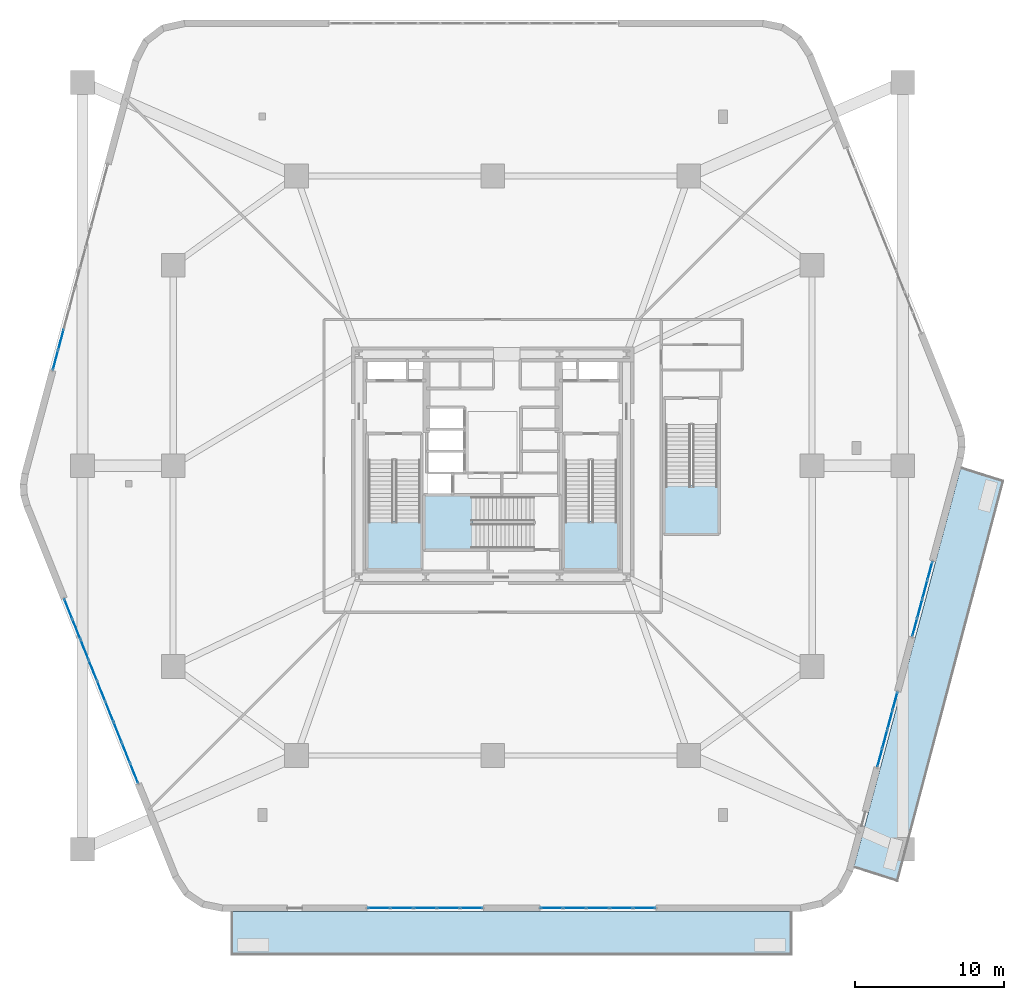
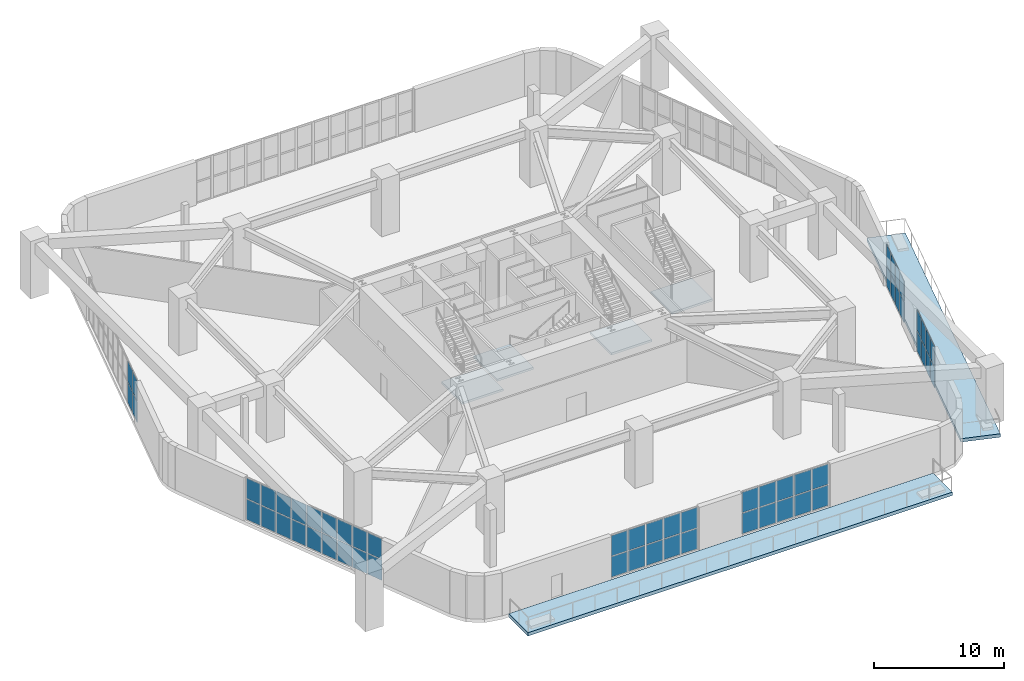
# One storey, part 25 of 34: 58 plates, 6 slabs, 10 elements without a shape of their own.
"""IFC4 building model written with IfcOpenShell, lengths in metres."""

from ifc_helpers import new_model, si_unit, direction, frame, origin, origin_2d, place, context, subcontext, project, spatial, polyline, rectangle, outline, extrude, material, layer, layer_set, type_object, element, aggregate, save


model = new_model("IFC4")

# Units and contexts
model_context = context("Model", 3, precision=1e-05, world=origin(), true_north=direction((0.0, 1.0)))
body_context = subcontext(model_context, "Body", "Model", "MODEL_VIEW")
ifc_project = project(units=[si_unit("LENGTHUNIT", "METRE"), si_unit("AREAUNIT", "SQUARE_METRE"), si_unit("VOLUMEUNIT", "CUBIC_METRE"), si_unit("PLANEANGLEUNIT", "RADIAN"), si_unit("MASSUNIT", "GRAM", prefix="KILO")], contexts=[model_context])

# Site, building, storey
site_placement = place(None, origin())
site = spatial("IfcSite", under=ifc_project, at=site_placement, CompositionType="ELEMENT")
building_placement = place(site_placement, origin())
building = spatial("IfcBuilding", under=site, at=building_placement, Name="Kilnhurst Terrace Hotel", CompositionType="ELEMENT")
storey_placement = place(building_placement, frame((0.0, 0.0, 6.0)))
storey = spatial("IfcBuildingStorey", under=building, at=storey_placement, Name="L01", CompositionType="ELEMENT", Elevation=6.0)

# Curtain wall, plates
ifc_material_1 = material(Name="Anodized Aluminium Alloy 6063-T6 and Low-E Glass", Category="aluminium")
ifc_layer_1 = layer(ifc_material_1, 0.219970703125, Name="Anodized Aluminium Alloy 6063-T6 and Low-E Glass")
ifc_layer_set_1 = layer_set([ifc_layer_1], Name="Anodized Aluminium Alloy 6063-T6 and Low-E Glass")
curtain_wall_type = type_object("IfcCurtainWallType", Name="CW-POD-LOBBY", PredefinedType="NOTDEFINED", material=ifc_layer_set_1)
curtain_wall_1_placement = place(storey_placement, origin())
curtain_wall_1 = element("IfcCurtainWall", 1, at=curtain_wall_1_placement, inside=storey, type_object=curtain_wall_type, Name="L01 Curtain Wall CW-L01-F1-1", PredefinedType="NOTDEFINED")
ifc_material_2 = material(Name="Triple Laminated Low-E Hurricane Insulated Glass", Category="glass")
ifc_layer_2 = layer(ifc_material_2, 0.035888671875, Name="Triple Laminated Low-E Hurricane Insulated Glass")
ifc_layer_set_2 = layer_set([ifc_layer_2], Name="Triple Laminated Low-E Hurricane Insulated Glass")
plate_type = type_object("IfcPlateType", Name="PNL-GLZ-36", PredefinedType="CURTAIN_PANEL", material=ifc_layer_set_2)
plate_1_placement = place(storey_placement, frame((-7.6513671875, -29.77490234375, 0.074951171875), z_axis=(0.0, 0.0, 1.0), x_axis=(1.0, 0.0, 0.0)))
plate_1 = element("IfcPlate", 2, at=plate_1_placement, type_object=plate_type, Name="CWL-1 panel 1.1", PredefinedType="CURTAIN_PANEL", context=body_context, shape_type="SweptSolid", body=[
    extrude(rectangle(XDim=1.453369140625, YDim=0.035888671875, at=origin_2d()), origin(), (0.0, 0.0, 1.0), 1.91259765625),
])
plate_2_placement = place(storey_placement, frame((-7.6513671875, -29.77490234375, 2.0625), z_axis=(0.0, 0.0, 1.0), x_axis=(1.0, 0.0, 0.0)))
plate_2 = element("IfcPlate", 3, at=plate_2_placement, type_object=plate_type, Name="CWL-1 panel 1.2", PredefinedType="CURTAIN_PANEL", context=body_context, shape_type="SweptSolid", body=[
    extrude(rectangle(XDim=1.453369140625, YDim=0.035888671875, at=origin_2d()), origin(), (0.0, 0.0, 1.0), 1.91259765625),
])
plate_3_placement = place(storey_placement, frame((-6.104248046875, -29.77490234375, 0.074951171875), z_axis=(0.0, 0.0, 1.0), x_axis=(1.0, 0.0, 0.0)))
plate_3 = element("IfcPlate", 4, at=plate_3_placement, type_object=plate_type, Name="CWL-1 panel 2.1", PredefinedType="CURTAIN_PANEL", context=body_context, shape_type="SweptSolid", body=[
    extrude(rectangle(XDim=1.49072265625, YDim=0.035888671875, at=origin_2d()), origin(), (0.0, 0.0, 1.0), 1.91259765625),
])
plate_4_placement = place(storey_placement, frame((-6.104248046875, -29.77490234375, 2.0625), z_axis=(0.0, 0.0, 1.0), x_axis=(1.0, 0.0, 0.0)))
plate_4 = element("IfcPlate", 5, at=plate_4_placement, type_object=plate_type, Name="CWL-1 panel 2.2", PredefinedType="CURTAIN_PANEL", context=body_context, shape_type="SweptSolid", body=[
    extrude(rectangle(XDim=1.49072265625, YDim=0.035888671875, at=origin_2d()), origin(), (0.0, 0.0, 1.0), 1.91259765625),
])
plate_5_placement = place(storey_placement, frame((-4.538330078125, -29.77490234375, 0.074951171875), z_axis=(0.0, 0.0, 1.0), x_axis=(1.0, 0.0, 0.0)))
plate_5 = element("IfcPlate", 6, at=plate_5_placement, type_object=plate_type, Name="CWL-1 panel 3.1", PredefinedType="CURTAIN_PANEL", context=body_context, shape_type="SweptSolid", body=[
    extrude(rectangle(XDim=1.49072265625, YDim=0.035888671875, at=origin_2d()), origin(), (0.0, 0.0, 1.0), 1.91259765625),
])
plate_6_placement = place(storey_placement, frame((-4.538330078125, -29.77490234375, 2.0625), z_axis=(0.0, 0.0, 1.0), x_axis=(1.0, 0.0, 0.0)))
plate_6 = element("IfcPlate", 7, at=plate_6_placement, type_object=plate_type, Name="CWL-1 panel 3.2", PredefinedType="CURTAIN_PANEL", context=body_context, shape_type="SweptSolid", body=[
    extrude(rectangle(XDim=1.49072265625, YDim=0.035888671875, at=origin_2d()), origin(), (0.0, 0.0, 1.0), 1.91259765625),
])
plate_7_placement = place(storey_placement, frame((-2.97265625, -29.77490234375, 0.074951171875), z_axis=(0.0, 0.0, 1.0), x_axis=(1.0, 0.0, 0.0)))
plate_7 = element("IfcPlate", 8, at=plate_7_placement, type_object=plate_type, Name="CWL-1 panel 4.1", PredefinedType="CURTAIN_PANEL", context=body_context, shape_type="SweptSolid", body=[
    extrude(rectangle(XDim=1.49072265625, YDim=0.035888671875, at=origin_2d()), origin(), (0.0, 0.0, 1.0), 1.91259765625),
])
plate_8_placement = place(storey_placement, frame((-2.97265625, -29.77490234375, 2.0625), z_axis=(0.0, 0.0, 1.0), x_axis=(1.0, 0.0, 0.0)))
plate_8 = element("IfcPlate", 9, at=plate_8_placement, type_object=plate_type, Name="CWL-1 panel 4.2", PredefinedType="CURTAIN_PANEL", context=body_context, shape_type="SweptSolid", body=[
    extrude(rectangle(XDim=1.49072265625, YDim=0.035888671875, at=origin_2d()), origin(), (0.0, 0.0, 1.0), 1.91259765625),
])
plate_9_placement = place(storey_placement, frame((-1.425537109375, -29.77490234375, 0.074951171875), z_axis=(0.0, 0.0, 1.0), x_axis=(1.0, 0.0, 0.0)))
plate_9 = element("IfcPlate", 10, at=plate_9_placement, type_object=plate_type, Name="CWL-1 panel 5.1", PredefinedType="CURTAIN_PANEL", context=body_context, shape_type="SweptSolid", body=[
    extrude(rectangle(XDim=1.453369140625, YDim=0.035888671875, at=origin_2d()), origin(), (0.0, 0.0, 1.0), 1.91259765625),
])
plate_10_placement = place(storey_placement, frame((-1.425537109375, -29.77490234375, 2.0625), z_axis=(0.0, 0.0, 1.0), x_axis=(1.0, 0.0, 0.0)))
plate_10 = element("IfcPlate", 11, at=plate_10_placement, type_object=plate_type, Name="CWL-1 panel 5.2", PredefinedType="CURTAIN_PANEL", context=body_context, shape_type="SweptSolid", body=[
    extrude(rectangle(XDim=1.453369140625, YDim=0.035888671875, at=origin_2d()), origin(), (0.0, 0.0, 1.0), 1.91259765625),
])
aggregate(curtain_wall_1, [plate_1, plate_2, plate_3, plate_4, plate_5, plate_6, plate_7, plate_8, plate_9, plate_10])

curtain_wall_2_placement = place(storey_placement, origin())
curtain_wall_2 = element("IfcCurtainWall", 12, at=curtain_wall_2_placement, inside=storey, type_object=curtain_wall_type, Name="L01 Curtain Wall CW-L01-F1-2", PredefinedType="NOTDEFINED")
plate_11_placement = place(storey_placement, frame((3.976806640625, -29.77490234375, 0.074951171875), z_axis=(0.0, 0.0, 1.0), x_axis=(1.0, 0.0, 0.0)))
plate_11 = element("IfcPlate", 13, at=plate_11_placement, type_object=plate_type, Name="CWL-1 panel 1.1", PredefinedType="CURTAIN_PANEL", context=body_context, shape_type="SweptSolid", body=[
    extrude(rectangle(XDim=1.453369140625, YDim=0.035888671875, at=origin_2d()), origin(), (0.0, 0.0, 1.0), 1.91259765625),
])
plate_12_placement = place(storey_placement, frame((3.976806640625, -29.77490234375, 2.0625), z_axis=(0.0, 0.0, 1.0), x_axis=(1.0, 0.0, 0.0)))
plate_12 = element("IfcPlate", 14, at=plate_12_placement, type_object=plate_type, Name="CWL-1 panel 1.2", PredefinedType="CURTAIN_PANEL", context=body_context, shape_type="SweptSolid", body=[
    extrude(rectangle(XDim=1.453369140625, YDim=0.035888671875, at=origin_2d()), origin(), (0.0, 0.0, 1.0), 1.91259765625),
])
plate_13_placement = place(storey_placement, frame((5.523681640625, -29.77490234375, 0.074951171875), z_axis=(0.0, 0.0, 1.0), x_axis=(1.0, 0.0, 0.0)))
plate_13 = element("IfcPlate", 15, at=plate_13_placement, type_object=plate_type, Name="CWL-1 panel 2.1", PredefinedType="CURTAIN_PANEL", context=body_context, shape_type="SweptSolid", body=[
    extrude(rectangle(XDim=1.49072265625, YDim=0.035888671875, at=origin_2d()), origin(), (0.0, 0.0, 1.0), 1.91259765625),
])
plate_14_placement = place(storey_placement, frame((5.523681640625, -29.77490234375, 2.0625), z_axis=(0.0, 0.0, 1.0), x_axis=(1.0, 0.0, 0.0)))
plate_14 = element("IfcPlate", 16, at=plate_14_placement, type_object=plate_type, Name="CWL-1 panel 2.2", PredefinedType="CURTAIN_PANEL", context=body_context, shape_type="SweptSolid", body=[
    extrude(rectangle(XDim=1.49072265625, YDim=0.035888671875, at=origin_2d()), origin(), (0.0, 0.0, 1.0), 1.91259765625),
])
plate_15_placement = place(storey_placement, frame((7.089599609375, -29.77490234375, 0.074951171875), z_axis=(0.0, 0.0, 1.0), x_axis=(1.0, 0.0, 0.0)))
plate_15 = element("IfcPlate", 17, at=plate_15_placement, type_object=plate_type, Name="CWL-1 panel 3.1", PredefinedType="CURTAIN_PANEL", context=body_context, shape_type="SweptSolid", body=[
    extrude(rectangle(XDim=1.49072265625, YDim=0.035888671875, at=origin_2d()), origin(), (0.0, 0.0, 1.0), 1.91259765625),
])
plate_16_placement = place(storey_placement, frame((7.089599609375, -29.77490234375, 2.0625), z_axis=(0.0, 0.0, 1.0), x_axis=(1.0, 0.0, 0.0)))
plate_16 = element("IfcPlate", 18, at=plate_16_placement, type_object=plate_type, Name="CWL-1 panel 3.2", PredefinedType="CURTAIN_PANEL", context=body_context, shape_type="SweptSolid", body=[
    extrude(rectangle(XDim=1.49072265625, YDim=0.035888671875, at=origin_2d()), origin(), (0.0, 0.0, 1.0), 1.91259765625),
])
plate_17_placement = place(storey_placement, frame((8.655517578125, -29.77490234375, 0.074951171875), z_axis=(0.0, 0.0, 1.0), x_axis=(1.0, 0.0, 0.0)))
plate_17 = element("IfcPlate", 19, at=plate_17_placement, type_object=plate_type, Name="CWL-1 panel 4.1", PredefinedType="CURTAIN_PANEL", context=body_context, shape_type="SweptSolid", body=[
    extrude(rectangle(XDim=1.49072265625, YDim=0.035888671875, at=origin_2d()), origin(), (0.0, 0.0, 1.0), 1.91259765625),
])
plate_18_placement = place(storey_placement, frame((8.655517578125, -29.77490234375, 2.0625), z_axis=(0.0, 0.0, 1.0), x_axis=(1.0, 0.0, 0.0)))
plate_18 = element("IfcPlate", 20, at=plate_18_placement, type_object=plate_type, Name="CWL-1 panel 4.2", PredefinedType="CURTAIN_PANEL", context=body_context, shape_type="SweptSolid", body=[
    extrude(rectangle(XDim=1.49072265625, YDim=0.035888671875, at=origin_2d()), origin(), (0.0, 0.0, 1.0), 1.91259765625),
])
plate_19_placement = place(storey_placement, frame((10.202392578125, -29.77490234375, 0.074951171875), z_axis=(0.0, 0.0, 1.0), x_axis=(1.0, 0.0, 0.0)))
plate_19 = element("IfcPlate", 21, at=plate_19_placement, type_object=plate_type, Name="CWL-1 panel 5.1", PredefinedType="CURTAIN_PANEL", context=body_context, shape_type="SweptSolid", body=[
    extrude(rectangle(XDim=1.453369140625, YDim=0.035888671875, at=origin_2d()), origin(), (0.0, 0.0, 1.0), 1.91259765625),
])
plate_20_placement = place(storey_placement, frame((10.202392578125, -29.77490234375, 2.0625), z_axis=(0.0, 0.0, 1.0), x_axis=(1.0, 0.0, 0.0)))
plate_20 = element("IfcPlate", 22, at=plate_20_placement, type_object=plate_type, Name="CWL-1 panel 5.2", PredefinedType="CURTAIN_PANEL", context=body_context, shape_type="SweptSolid", body=[
    extrude(rectangle(XDim=1.453369140625, YDim=0.035888671875, at=origin_2d()), origin(), (0.0, 0.0, 1.0), 1.91259765625),
])
aggregate(curtain_wall_2, [plate_11, plate_12, plate_13, plate_14, plate_15, plate_16, plate_17, plate_18, plate_19, plate_20])

curtain_wall_3_placement = place(storey_placement, origin())
curtain_wall_3 = element("IfcCurtainWall", 23, at=curtain_wall_3_placement, inside=storey, type_object=curtain_wall_type, Name="L01 Curtain Wall CW-L01-F2-1", PredefinedType="NOTDEFINED")
plate_21_placement = place(storey_placement, frame((26.061279296875, -19.6455078125, 0.074951171875), z_axis=(0.0, 0.0, 1.0), x_axis=(0.258805665733, 0.965929411181, 0.0)))
plate_21 = element("IfcPlate", 24, at=plate_21_placement, type_object=plate_type, Name="CWL-1 panel 1.1", PredefinedType="CURTAIN_PANEL", context=body_context, shape_type="SweptSolid", body=[
    extrude(rectangle(XDim=1.21044921875, YDim=0.035888671875, at=origin_2d()), origin(), (0.0, 0.0, 1.0), 1.91259765625),
])
plate_22_placement = place(storey_placement, frame((26.061279296875, -19.6455078125, 2.0625), z_axis=(0.0, 0.0, 1.0), x_axis=(0.258805665733, 0.965929411181, 0.0)))
plate_22 = element("IfcPlate", 25, at=plate_22_placement, type_object=plate_type, Name="CWL-1 panel 1.2", PredefinedType="CURTAIN_PANEL", context=body_context, shape_type="SweptSolid", body=[
    extrude(rectangle(XDim=1.21044921875, YDim=0.035888671875, at=origin_2d()), origin(), (0.0, 0.0, 1.0), 1.91259765625),
])
plate_23_placement = place(storey_placement, frame((26.398681640625, -18.3857421875, 0.074951171875), z_axis=(0.0, 0.0, 1.0), x_axis=(0.258805665733, 0.965929411181, 0.0)))
plate_23 = element("IfcPlate", 26, at=plate_23_placement, type_object=plate_type, Name="CWL-1 panel 2.1", PredefinedType="CURTAIN_PANEL", context=body_context, shape_type="SweptSolid", body=[
    extrude(rectangle(XDim=1.248046875, YDim=0.035888671875, at=origin_2d()), origin(), (0.0, 0.0, 1.0), 1.91259765625),
])
plate_24_placement = place(storey_placement, frame((26.398681640625, -18.3857421875, 2.0625), z_axis=(0.0, 0.0, 1.0), x_axis=(0.258805665733, 0.965929411181, 0.0)))
plate_24 = element("IfcPlate", 27, at=plate_24_placement, type_object=plate_type, Name="CWL-1 panel 2.2", PredefinedType="CURTAIN_PANEL", context=body_context, shape_type="SweptSolid", body=[
    extrude(rectangle(XDim=1.248046875, YDim=0.035888671875, at=origin_2d()), origin(), (0.0, 0.0, 1.0), 1.91259765625),
])
plate_25_placement = place(storey_placement, frame((26.7412109375, -17.10791015625, 0.074951171875), z_axis=(0.0, 0.0, 1.0), x_axis=(0.258805665733, 0.965929411181, 0.0)))
plate_25 = element("IfcPlate", 28, at=plate_25_placement, type_object=plate_type, Name="CWL-1 panel 3.1", PredefinedType="CURTAIN_PANEL", context=body_context, shape_type="SweptSolid", body=[
    extrude(rectangle(XDim=1.248046875, YDim=0.035888671875, at=origin_2d()), origin(), (0.0, 0.0, 1.0), 1.91259765625),
])
plate_26_placement = place(storey_placement, frame((26.7412109375, -17.10791015625, 2.0625), z_axis=(0.0, 0.0, 1.0), x_axis=(0.258805665733, 0.965929411181, 0.0)))
plate_26 = element("IfcPlate", 29, at=plate_26_placement, type_object=plate_type, Name="CWL-1 panel 3.2", PredefinedType="CURTAIN_PANEL", context=body_context, shape_type="SweptSolid", body=[
    extrude(rectangle(XDim=1.248046875, YDim=0.035888671875, at=origin_2d()), origin(), (0.0, 0.0, 1.0), 1.91259765625),
])
plate_27_placement = place(storey_placement, frame((27.078857421875, -15.84814453125, 0.074951171875), z_axis=(0.0, 0.0, 1.0), x_axis=(0.258805665733, 0.965929411181, 0.0)))
plate_27 = element("IfcPlate", 30, at=plate_27_placement, type_object=plate_type, Name="CWL-1 panel 4.1", PredefinedType="CURTAIN_PANEL", context=body_context, shape_type="SweptSolid", body=[
    extrude(rectangle(XDim=1.21044921875, YDim=0.035888671875, at=origin_2d()), origin(), (0.0, 0.0, 1.0), 1.91259765625),
])
plate_28_placement = place(storey_placement, frame((27.078857421875, -15.84814453125, 2.0625), z_axis=(0.0, 0.0, 1.0), x_axis=(0.258805665733, 0.965929411181, 0.0)))
plate_28 = element("IfcPlate", 31, at=plate_28_placement, type_object=plate_type, Name="CWL-1 panel 4.2", PredefinedType="CURTAIN_PANEL", context=body_context, shape_type="SweptSolid", body=[
    extrude(rectangle(XDim=1.21044921875, YDim=0.035888671875, at=origin_2d()), origin(), (0.0, 0.0, 1.0), 1.91259765625),
])
aggregate(curtain_wall_3, [plate_21, plate_22, plate_23, plate_24, plate_25, plate_26, plate_27, plate_28])

curtain_wall_4_placement = place(storey_placement, origin())
curtain_wall_4 = element("IfcCurtainWall", 32, at=curtain_wall_4_placement, inside=storey, type_object=curtain_wall_type, Name="L01 Curtain Wall CW-L01-F2-2", PredefinedType="NOTDEFINED")
plate_29_placement = place(storey_placement, frame((28.414306640625, -10.863525390625, 0.074951171875), z_axis=(0.0, 0.0, 1.0), x_axis=(0.258788034865, 0.965934134924, 0.0)))
plate_29 = element("IfcPlate", 33, at=plate_29_placement, type_object=plate_type, Name="CWL-1 panel 1.1", PredefinedType="CURTAIN_PANEL", context=body_context, shape_type="SweptSolid", body=[
    extrude(rectangle(XDim=1.21044921875, YDim=0.035888671875, at=origin_2d()), origin(), (0.0, 0.0, 1.0), 1.91259765625),
])
plate_30_placement = place(storey_placement, frame((28.414306640625, -10.863525390625, 2.0625), z_axis=(0.0, 0.0, 1.0), x_axis=(0.258788034865, 0.965934134924, 0.0)))
plate_30 = element("IfcPlate", 34, at=plate_30_placement, type_object=plate_type, Name="CWL-1 panel 1.2", PredefinedType="CURTAIN_PANEL", context=body_context, shape_type="SweptSolid", body=[
    extrude(rectangle(XDim=1.21044921875, YDim=0.035888671875, at=origin_2d()), origin(), (0.0, 0.0, 1.0), 1.91259765625),
])
plate_31_placement = place(storey_placement, frame((28.751953125, -9.603515625, 0.074951171875), z_axis=(0.0, 0.0, 1.0), x_axis=(0.258788034865, 0.965934134924, 0.0)))
plate_31 = element("IfcPlate", 35, at=plate_31_placement, type_object=plate_type, Name="CWL-1 panel 2.1", PredefinedType="CURTAIN_PANEL", context=body_context, shape_type="SweptSolid", body=[
    extrude(rectangle(XDim=1.248046875, YDim=0.035888671875, at=origin_2d()), origin(), (0.0, 0.0, 1.0), 1.91259765625),
])
plate_32_placement = place(storey_placement, frame((28.751953125, -9.603515625, 2.0625), z_axis=(0.0, 0.0, 1.0), x_axis=(0.258788034865, 0.965934134924, 0.0)))
plate_32 = element("IfcPlate", 36, at=plate_32_placement, type_object=plate_type, Name="CWL-1 panel 2.2", PredefinedType="CURTAIN_PANEL", context=body_context, shape_type="SweptSolid", body=[
    extrude(rectangle(XDim=1.248046875, YDim=0.035888671875, at=origin_2d()), origin(), (0.0, 0.0, 1.0), 1.91259765625),
])
plate_33_placement = place(storey_placement, frame((29.09423828125, -8.32568359375, 0.074951171875), z_axis=(0.0, 0.0, 1.0), x_axis=(0.258788034865, 0.965934134924, 0.0)))
plate_33 = element("IfcPlate", 37, at=plate_33_placement, type_object=plate_type, Name="CWL-1 panel 3.1", PredefinedType="CURTAIN_PANEL", context=body_context, shape_type="SweptSolid", body=[
    extrude(rectangle(XDim=1.248046875, YDim=0.035888671875, at=origin_2d()), origin(), (0.0, 0.0, 1.0), 1.91259765625),
])
plate_34_placement = place(storey_placement, frame((29.09423828125, -8.32568359375, 2.0625), z_axis=(0.0, 0.0, 1.0), x_axis=(0.258788034865, 0.965934134924, 0.0)))
plate_34 = element("IfcPlate", 38, at=plate_34_placement, type_object=plate_type, Name="CWL-1 panel 3.2", PredefinedType="CURTAIN_PANEL", context=body_context, shape_type="SweptSolid", body=[
    extrude(rectangle(XDim=1.248046875, YDim=0.035888671875, at=origin_2d()), origin(), (0.0, 0.0, 1.0), 1.91259765625),
])
plate_35_placement = place(storey_placement, frame((29.431640625, -7.06591796875, 0.074951171875), z_axis=(0.0, 0.0, 1.0), x_axis=(0.258788034865, 0.965934134924, 0.0)))
plate_35 = element("IfcPlate", 39, at=plate_35_placement, type_object=plate_type, Name="CWL-1 panel 4.1", PredefinedType="CURTAIN_PANEL", context=body_context, shape_type="SweptSolid", body=[
    extrude(rectangle(XDim=1.21044921875, YDim=0.035888671875, at=origin_2d()), origin(), (0.0, 0.0, 1.0), 1.91259765625),
])
plate_36_placement = place(storey_placement, frame((29.431640625, -7.06591796875, 2.0625), z_axis=(0.0, 0.0, 1.0), x_axis=(0.258788034865, 0.965934134924, 0.0)))
plate_36 = element("IfcPlate", 40, at=plate_36_placement, type_object=plate_type, Name="CWL-1 panel 4.2", PredefinedType="CURTAIN_PANEL", context=body_context, shape_type="SweptSolid", body=[
    extrude(rectangle(XDim=1.21044921875, YDim=0.035888671875, at=origin_2d()), origin(), (0.0, 0.0, 1.0), 1.91259765625),
])
aggregate(curtain_wall_4, [plate_29, plate_30, plate_31, plate_32, plate_33, plate_34, plate_35, plate_36])

curtain_wall_5_placement = place(storey_placement, origin())
curtain_wall_5 = element("IfcCurtainWall", 41, at=curtain_wall_5_placement, inside=storey, type_object=curtain_wall_type, Name="L01 Curtain Wall CW-L01-F5-1", PredefinedType="NOTDEFINED")
plate_37_placement = place(storey_placement, frame((-29.04931640625, 8.492919921875, 0.074951171875), z_axis=(0.0, 0.0, 1.0), x_axis=(-0.258802226601, -0.965930332636, 0.0)))
plate_37 = element("IfcPlate", 42, at=plate_37_placement, type_object=plate_type, Name="CWL-1 panel 9.1", PredefinedType="CURTAIN_PANEL", context=body_context, shape_type="SweptSolid", body=[
    extrude(rectangle(XDim=1.36328125, YDim=0.035888671875, at=origin_2d()), origin(), (0.0, 0.0, 1.0), 1.91259765625),
])
plate_38_placement = place(storey_placement, frame((-29.04931640625, 8.492919921875, 2.0625), z_axis=(0.0, 0.0, 1.0), x_axis=(-0.258802226601, -0.965930332636, 0.0)))
plate_38 = element("IfcPlate", 43, at=plate_38_placement, type_object=plate_type, Name="CWL-1 panel 9.2", PredefinedType="CURTAIN_PANEL", context=body_context, shape_type="SweptSolid", body=[
    extrude(rectangle(XDim=1.36328125, YDim=0.035888671875, at=origin_2d()), origin(), (0.0, 0.0, 1.0), 1.91259765625),
])
plate_39_placement = place(storey_placement, frame((-29.416748046875, 7.12158203125, 0.074951171875), z_axis=(0.0, 0.0, 1.0), x_axis=(-0.258802226601, -0.965930332636, 0.0)))
plate_39 = element("IfcPlate", 44, at=plate_39_placement, type_object=plate_type, Name="CWL-1 panel 10.1", PredefinedType="CURTAIN_PANEL", context=body_context, shape_type="SweptSolid", body=[
    extrude(rectangle(XDim=1.325927734375, YDim=0.035888671875, at=origin_2d()), origin(), (0.0, 0.0, 1.0), 1.91259765625),
])
plate_40_placement = place(storey_placement, frame((-29.416748046875, 7.12158203125, 2.0625), z_axis=(0.0, 0.0, 1.0), x_axis=(-0.258802226601, -0.965930332636, 0.0)))
plate_40 = element("IfcPlate", 45, at=plate_40_placement, type_object=plate_type, Name="CWL-1 panel 10.2", PredefinedType="CURTAIN_PANEL", context=body_context, shape_type="SweptSolid", body=[
    extrude(rectangle(XDim=1.325927734375, YDim=0.035888671875, at=origin_2d()), origin(), (0.0, 0.0, 1.0), 1.91259765625),
])
aggregate(curtain_wall_5, [plate_37, plate_38, plate_39, plate_40])

curtain_wall_6_placement = place(storey_placement, origin())
curtain_wall_6 = element("IfcCurtainWall", 46, at=curtain_wall_6_placement, inside=storey, type_object=curtain_wall_type, Name="L01 Curtain Wall CW-L01-F6-1", PredefinedType="NOTDEFINED")
plate_41_placement = place(storey_placement, frame((-28.557373046875, -9.636474609375, 0.074951171875), z_axis=(0.0, 0.0, 1.0), x_axis=(0.371955224552, -0.928250672463, 0.0)))
plate_41 = element("IfcPlate", 47, at=plate_41_placement, type_object=plate_type, Name="CWL-1 panel 1.1", PredefinedType="CURTAIN_PANEL", context=body_context, shape_type="SweptSolid", body=[
    extrude(rectangle(XDim=1.38037109375, YDim=0.035888671875, at=origin_2d()), origin(), (0.0, 0.0, 1.0), 1.91259765625),
])
plate_42_placement = place(storey_placement, frame((-28.557373046875, -9.636474609375, 2.0625), z_axis=(0.0, 0.0, 1.0), x_axis=(0.371955224552, -0.928250672463, 0.0)))
plate_42 = element("IfcPlate", 48, at=plate_42_placement, type_object=plate_type, Name="CWL-1 panel 1.2", PredefinedType="CURTAIN_PANEL", context=body_context, shape_type="SweptSolid", body=[
    extrude(rectangle(XDim=1.38037109375, YDim=0.035888671875, at=origin_2d()), origin(), (0.0, 0.0, 1.0), 1.91259765625),
])
plate_43_placement = place(storey_placement, frame((-28.009033203125, -11.0048828125, 0.074951171875), z_axis=(0.0, 0.0, 1.0), x_axis=(0.371955224552, -0.928250672463, 0.0)))
plate_43 = element("IfcPlate", 49, at=plate_43_placement, type_object=plate_type, Name="CWL-1 panel 2.1", PredefinedType="CURTAIN_PANEL", context=body_context, shape_type="SweptSolid", body=[
    extrude(rectangle(XDim=1.41796875, YDim=0.035888671875, at=origin_2d()), origin(), (0.0, 0.0, 1.0), 1.91259765625),
])
plate_44_placement = place(storey_placement, frame((-28.009033203125, -11.0048828125, 2.0625), z_axis=(0.0, 0.0, 1.0), x_axis=(0.371955224552, -0.928250672463, 0.0)))
plate_44 = element("IfcPlate", 50, at=plate_44_placement, type_object=plate_type, Name="CWL-1 panel 2.2", PredefinedType="CURTAIN_PANEL", context=body_context, shape_type="SweptSolid", body=[
    extrude(rectangle(XDim=1.41796875, YDim=0.035888671875, at=origin_2d()), origin(), (0.0, 0.0, 1.0), 1.91259765625),
])
plate_45_placement = place(storey_placement, frame((-27.453857421875, -12.390625, 0.074951171875), z_axis=(0.0, 0.0, 1.0), x_axis=(0.371955224552, -0.928250672463, 0.0)))
plate_45 = element("IfcPlate", 51, at=plate_45_placement, type_object=plate_type, Name="CWL-1 panel 3.1", PredefinedType="CURTAIN_PANEL", context=body_context, shape_type="SweptSolid", body=[
    extrude(rectangle(XDim=1.41796875, YDim=0.035888671875, at=origin_2d()), origin(), (0.0, 0.0, 1.0), 1.91259765625),
])
plate_46_placement = place(storey_placement, frame((-27.453857421875, -12.390625, 2.0625), z_axis=(0.0, 0.0, 1.0), x_axis=(0.371955224552, -0.928250672463, 0.0)))
plate_46 = element("IfcPlate", 52, at=plate_46_placement, type_object=plate_type, Name="CWL-1 panel 3.2", PredefinedType="CURTAIN_PANEL", context=body_context, shape_type="SweptSolid", body=[
    extrude(rectangle(XDim=1.41796875, YDim=0.035888671875, at=origin_2d()), origin(), (0.0, 0.0, 1.0), 1.91259765625),
])
plate_47_placement = place(storey_placement, frame((-26.8984375, -13.776611328125, 0.074951171875), z_axis=(0.0, 0.0, 1.0), x_axis=(0.371955224552, -0.928250672463, 0.0)))
plate_47 = element("IfcPlate", 53, at=plate_47_placement, type_object=plate_type, Name="CWL-1 panel 4.1", PredefinedType="CURTAIN_PANEL", context=body_context, shape_type="SweptSolid", body=[
    extrude(rectangle(XDim=1.41796875, YDim=0.035888671875, at=origin_2d()), origin(), (0.0, 0.0, 1.0), 1.91259765625),
])
plate_48_placement = place(storey_placement, frame((-26.8984375, -13.776611328125, 2.0625), z_axis=(0.0, 0.0, 1.0), x_axis=(0.371955224552, -0.928250672463, 0.0)))
plate_48 = element("IfcPlate", 54, at=plate_48_placement, type_object=plate_type, Name="CWL-1 panel 4.2", PredefinedType="CURTAIN_PANEL", context=body_context, shape_type="SweptSolid", body=[
    extrude(rectangle(XDim=1.41796875, YDim=0.035888671875, at=origin_2d()), origin(), (0.0, 0.0, 1.0), 1.91259765625),
])
plate_49_placement = place(storey_placement, frame((-26.34326171875, -15.162353515625, 0.074951171875), z_axis=(0.0, 0.0, 1.0), x_axis=(0.371955224552, -0.928250672463, 0.0)))
plate_49 = element("IfcPlate", 55, at=plate_49_placement, type_object=plate_type, Name="CWL-1 panel 5.1", PredefinedType="CURTAIN_PANEL", context=body_context, shape_type="SweptSolid", body=[
    extrude(rectangle(XDim=1.41796875, YDim=0.035888671875, at=origin_2d()), origin(), (0.0, 0.0, 1.0), 1.91259765625),
])
plate_50_placement = place(storey_placement, frame((-26.34326171875, -15.162353515625, 2.0625), z_axis=(0.0, 0.0, 1.0), x_axis=(0.371955224552, -0.928250672463, 0.0)))
plate_50 = element("IfcPlate", 56, at=plate_50_placement, type_object=plate_type, Name="CWL-1 panel 5.2", PredefinedType="CURTAIN_PANEL", context=body_context, shape_type="SweptSolid", body=[
    extrude(rectangle(XDim=1.41796875, YDim=0.035888671875, at=origin_2d()), origin(), (0.0, 0.0, 1.0), 1.91259765625),
])
plate_51_placement = place(storey_placement, frame((-25.787841796875, -16.548095703125, 0.074951171875), z_axis=(0.0, 0.0, 1.0), x_axis=(0.371955224552, -0.928250672463, 0.0)))
plate_51 = element("IfcPlate", 57, at=plate_51_placement, type_object=plate_type, Name="CWL-1 panel 6.1", PredefinedType="CURTAIN_PANEL", context=body_context, shape_type="SweptSolid", body=[
    extrude(rectangle(XDim=1.41796875, YDim=0.035888671875, at=origin_2d()), origin(), (0.0, 0.0, 1.0), 1.91259765625),
])
plate_52_placement = place(storey_placement, frame((-25.787841796875, -16.548095703125, 2.0625), z_axis=(0.0, 0.0, 1.0), x_axis=(0.371955224552, -0.928250672463, 0.0)))
plate_52 = element("IfcPlate", 58, at=plate_52_placement, type_object=plate_type, Name="CWL-1 panel 6.2", PredefinedType="CURTAIN_PANEL", context=body_context, shape_type="SweptSolid", body=[
    extrude(rectangle(XDim=1.41796875, YDim=0.035888671875, at=origin_2d()), origin(), (0.0, 0.0, 1.0), 1.91259765625),
])
plate_53_placement = place(storey_placement, frame((-25.232666015625, -17.933837890625, 0.074951171875), z_axis=(0.0, 0.0, 1.0), x_axis=(0.371955224552, -0.928250672463, 0.0)))
plate_53 = element("IfcPlate", 59, at=plate_53_placement, type_object=plate_type, Name="CWL-1 panel 7.1", PredefinedType="CURTAIN_PANEL", context=body_context, shape_type="SweptSolid", body=[
    extrude(rectangle(XDim=1.41796875, YDim=0.035888671875, at=origin_2d()), origin(), (0.0, 0.0, 1.0), 1.91259765625),
])
plate_54_placement = place(storey_placement, frame((-25.232666015625, -17.933837890625, 2.0625), z_axis=(0.0, 0.0, 1.0), x_axis=(0.371955224552, -0.928250672463, 0.0)))
plate_54 = element("IfcPlate", 60, at=plate_54_placement, type_object=plate_type, Name="CWL-1 panel 7.2", PredefinedType="CURTAIN_PANEL", context=body_context, shape_type="SweptSolid", body=[
    extrude(rectangle(XDim=1.41796875, YDim=0.035888671875, at=origin_2d()), origin(), (0.0, 0.0, 1.0), 1.91259765625),
])
plate_55_placement = place(storey_placement, frame((-24.67724609375, -19.319580078125, 0.074951171875), z_axis=(0.0, 0.0, 1.0), x_axis=(0.371955224552, -0.928250672463, 0.0)))
plate_55 = element("IfcPlate", 61, at=plate_55_placement, type_object=plate_type, Name="CWL-1 panel 8.1", PredefinedType="CURTAIN_PANEL", context=body_context, shape_type="SweptSolid", body=[
    extrude(rectangle(XDim=1.41796875, YDim=0.035888671875, at=origin_2d()), origin(), (0.0, 0.0, 1.0), 1.91259765625),
])
plate_56_placement = place(storey_placement, frame((-24.67724609375, -19.319580078125, 2.0625), z_axis=(0.0, 0.0, 1.0), x_axis=(0.371955224552, -0.928250672463, 0.0)))
plate_56 = element("IfcPlate", 62, at=plate_56_placement, type_object=plate_type, Name="CWL-1 panel 8.2", PredefinedType="CURTAIN_PANEL", context=body_context, shape_type="SweptSolid", body=[
    extrude(rectangle(XDim=1.41796875, YDim=0.035888671875, at=origin_2d()), origin(), (0.0, 0.0, 1.0), 1.91259765625),
])
plate_57_placement = place(storey_placement, frame((-24.12890625, -20.68798828125, 0.074951171875), z_axis=(0.0, 0.0, 1.0), x_axis=(0.371955224552, -0.928250672463, 0.0)))
plate_57 = element("IfcPlate", 63, at=plate_57_placement, type_object=plate_type, Name="CWL-1 panel 9.1", PredefinedType="CURTAIN_PANEL", context=body_context, shape_type="SweptSolid", body=[
    extrude(rectangle(XDim=1.38037109375, YDim=0.035888671875, at=origin_2d()), origin(), (0.0, 0.0, 1.0), 1.91259765625),
])
plate_58_placement = place(storey_placement, frame((-24.12890625, -20.68798828125, 2.0625), z_axis=(0.0, 0.0, 1.0), x_axis=(0.371955224552, -0.928250672463, 0.0)))
plate_58 = element("IfcPlate", 64, at=plate_58_placement, type_object=plate_type, Name="CWL-1 panel 9.2", PredefinedType="CURTAIN_PANEL", context=body_context, shape_type="SweptSolid", body=[
    extrude(rectangle(XDim=1.38037109375, YDim=0.035888671875, at=origin_2d()), origin(), (0.0, 0.0, 1.0), 1.91259765625),
])
aggregate(curtain_wall_6, [plate_41, plate_42, plate_43, plate_44, plate_45, plate_46, plate_47, plate_48, plate_49, plate_50, plate_51, plate_52, plate_53, plate_54, plate_55, plate_56, plate_57, plate_58])

# Stair, slab
ifc_material_3 = material(Name="Concrete C50/60", Category="concrete")
stair_type_1 = type_object("IfcStairType", Name="STR-CORE-1660", PredefinedType="HALF_TURN_STAIR", material=ifc_material_3)
stair_1_placement = place(storey_placement, origin())
stair_1 = element("IfcStair", 65, at=stair_1_placement, inside=storey, type_object=stair_type_1, Name="L01 ST-1", PredefinedType="HALF_TURN_STAIR")
ifc_layer_3 = layer(ifc_material_3, 0.199951171875, Name="Concrete C50/60")
ifc_layer_set_3 = layer_set([ifc_layer_3], Name="Concrete C50/60")
slab_type_1 = type_object("IfcSlabType", Name="SLB-ST-LND-200", PredefinedType="LANDING", material=ifc_layer_set_3)
slab_1_placement = place(storey_placement, frame((0.0, 0.0, 2.5)))
slab_1 = element("IfcSlab", 66, at=slab_1_placement, type_object=slab_type_1, Name="ST-1 landing 1", PredefinedType="LANDING", context=body_context, shape_type="SweptSolid", body=[
    extrude(outline(polyline([(-8.429931640625, -3.72998046875), (-4.800048828125, -3.72998046875), (-4.800048828125, -6.97998046875), (-8.429931640625, -6.97998046875), (-8.429931640625, -3.72998046875)])), origin(), (0.0, 0.0, 1.0), 0.199951171875),
])
aggregate(stair_1, [slab_1])

stair_2_placement = place(storey_placement, origin())
stair_2 = element("IfcStair", 67, at=stair_2_placement, inside=storey, type_object=stair_type_1, Name="L01 ST-2", PredefinedType="HALF_TURN_STAIR")
slab_2_placement = place(storey_placement, frame((0.0, 0.0, 2.5)))
slab_2 = element("IfcSlab", 68, at=slab_2_placement, type_object=slab_type_1, Name="ST-2 landing 1", PredefinedType="LANDING", context=body_context, shape_type="SweptSolid", body=[
    extrude(outline(polyline([(4.800048828125, -3.72998046875), (8.429931640625, -3.72998046875), (8.429931640625, -6.97998046875), (4.800048828125, -6.97998046875), (4.800048828125, -3.72998046875)])), origin(), (0.0, 0.0, 1.0), 0.199951171875),
])
aggregate(stair_2, [slab_2])

stair_3_placement = place(storey_placement, origin())
stair_3 = element("IfcStair", 69, at=stair_3_placement, inside=storey, type_object=stair_type_1, Name="L01 ST-3", PredefinedType="HALF_TURN_STAIR")
slab_3_placement = place(storey_placement, frame((0.0, 0.0, 2.5)))
slab_3 = element("IfcSlab", 70, at=slab_3_placement, type_object=slab_type_1, Name="ST-3 landing 1", PredefinedType="LANDING", context=body_context, shape_type="SweptSolid", body=[
    extrude(outline(polyline([(-1.330078125, -2.0), (-1.330078125, -5.6298828125), (-4.580078125, -5.6298828125), (-4.580078125, -2.0), (-1.330078125, -2.0)])), origin(), (0.0, 0.0, 1.0), 0.199951171875),
])
aggregate(stair_3, [slab_3])

ifc_material_4 = material(Name="Concrete C40/50", Category="concrete")
stair_type_2 = type_object("IfcStairType", Name="STR-POD-1660", PredefinedType="HALF_TURN_STAIR", material=ifc_material_4)
stair_4_placement = place(storey_placement, origin())
stair_4 = element("IfcStair", 71, at=stair_4_placement, inside=storey, type_object=stair_type_2, Name="L01 ST-4", PredefinedType="HALF_TURN_STAIR")
slab_4_placement = place(storey_placement, frame((0.0, 0.0, 2.5)))
slab_4 = element("IfcSlab", 72, at=slab_4_placement, type_object=slab_type_1, Name="ST-4 landing 1", PredefinedType="LANDING", context=body_context, shape_type="SweptSolid", body=[
    extrude(outline(polyline([(11.570068359375, -1.330078125), (15.199951171875, -1.330078125), (15.199951171875, -4.580078125), (11.570068359375, -4.580078125), (11.570068359375, -1.330078125)])), origin(), (0.0, 0.0, 1.0), 0.199951171875),
])
aggregate(stair_4, [slab_4])

# Slabs
ifc_layer_4 = layer(ifc_material_3, 0.320068359375, Name="Concrete C50/60")
ifc_layer_set_4 = layer_set([ifc_layer_4], Name="Concrete C50/60")
slab_type_2 = type_object("IfcSlabType", Name="SLB-TERR-320", PredefinedType="FLOOR", material=ifc_layer_set_4)
slab_5_placement = place(storey_placement, frame((0.0, 0.0, -0.320068359375)))
element("IfcSlab", 73, at=slab_5_placement, inside=storey, type_object=slab_type_2, Name="L01 Cantilevered Planted Terrace Slab TERR-1", PredefinedType="FLOOR", context=body_context, shape_type="SweptSolid", body=[
    extrude(outline(polyline([(-17.604248046875, -29.97998046875), (20.15771484375, -29.97998046875), (20.15771484375, -32.93994140625), (-17.604248046875, -32.93994140625), (-17.604248046875, -29.97998046875)])), origin(), (0.0, 0.0, 1.0), 0.320068359375),
])
slab_6_placement = place(storey_placement, frame((0.0, 0.0, -0.320068359375)))
element("IfcSlab", 74, at=slab_6_placement, inside=storey, type_object=slab_type_2, Name="L01 Cantilevered Planted Terrace Slab TERR-2", PredefinedType="FLOOR", context=body_context, shape_type="SweptSolid", body=[
    extrude(outline(polyline([(24.288330078125, -27.055419921875), (31.515380859375, -0.08154296875), (34.4130859375, -1.0), (27.268798828125, -28.0), (24.288330078125, -27.055419921875)])), origin(), (0.0, 0.0, 1.0), 0.320068359375),
])

save(model, "model.ifc")
